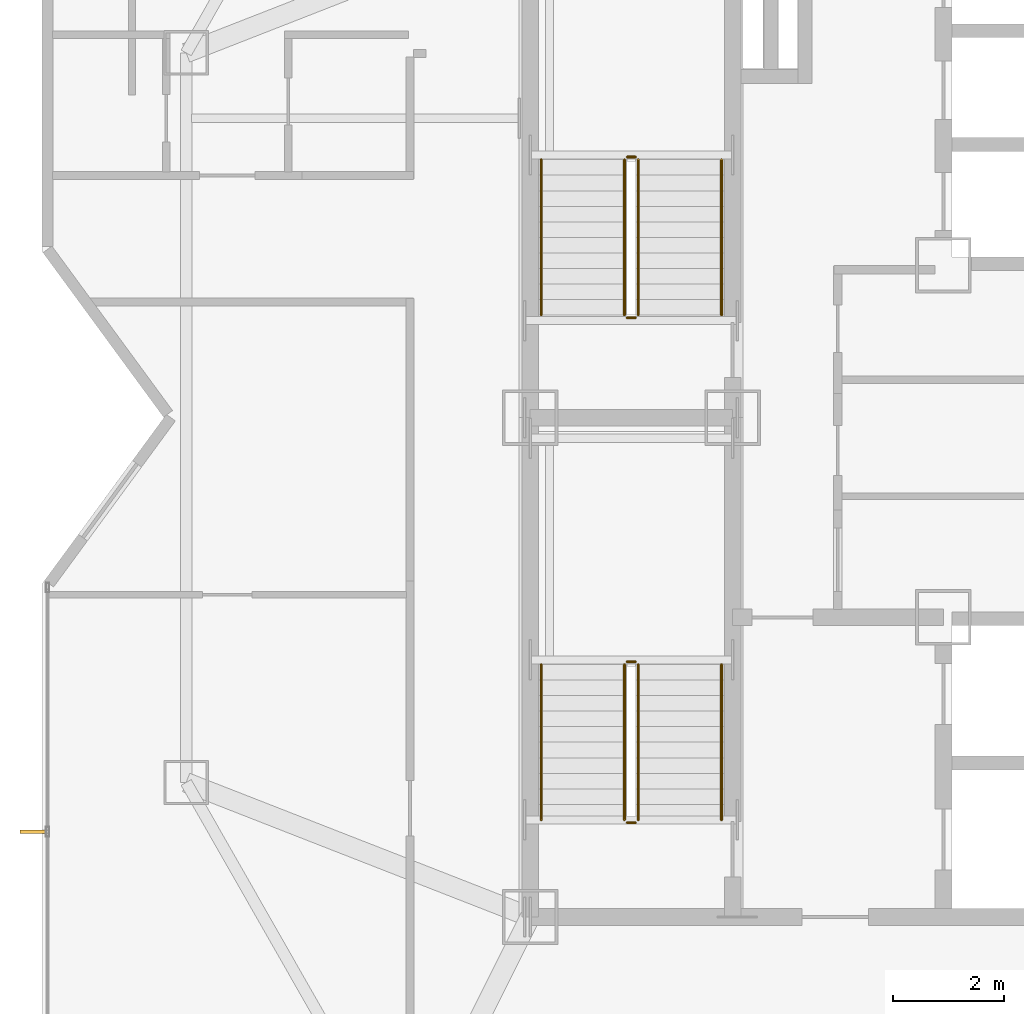
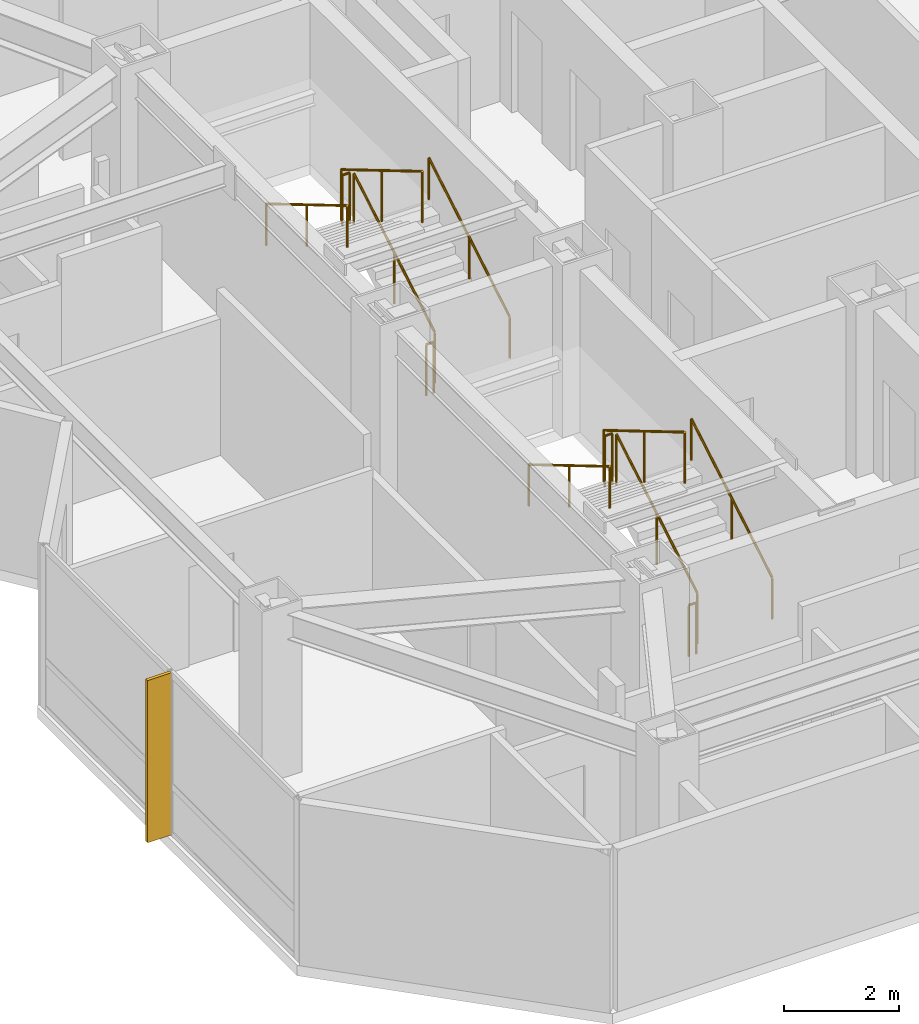
# One storey, part 14 of 14: 12 railings, 1 shading device.
"""IFC4 building model written with IfcOpenShell, lengths in metres."""

import ifcopenshell
import ifcopenshell.guid

model = None  # the IFC model being written
_history = None  # IfcOwnerHistory: only IFC2X3 demands one
_inside = {}  # id of a spatial element -> (the spatial element, [elements in it])
_under = {}  # id of a project, library or spatial element -> (it, [spatial elements below it])
_declared = {}  # id of a project -> (the project, [libraries it declares])
_typed = {}  # id of a type object -> (the type object, [elements of that type])
_made_of = {}  # id of a material, layer set ... -> (it, [elements and type objects made of it])


def new_model(schema):
    """Start an empty IFC model of exactly this schema.

    Asked for "IFC4X3", IfcOpenShell would pick the latest addendum, in which some entities
    have other attributes; the version numbers below select the first issue.
    IFC2X3 requires an IfcOwnerHistory on every rooted entity: one is made here for all.
    """
    global model, _history
    if schema == "IFC4X3":
        model = ifcopenshell.file(schema_version=(4, 3, 0, 0))
    else:
        model = ifcopenshell.file(schema=schema)
    _inside.clear()
    _under.clear()
    _declared.clear()
    _typed.clear()
    _made_of.clear()
    _history = None
    if model.schema == "IFC2X3":
        org = make("IfcOrganization", Name="unknown")
        user = make(
            "IfcPersonAndOrganization",
            ThePerson=make("IfcPerson", FamilyName="unknown"),
            TheOrganization=org,
        )
        app = make(
            "IfcApplication",
            ApplicationDeveloper=org,
            Version="unknown",
            ApplicationFullName="unknown",
            ApplicationIdentifier="unknown",
        )
        _history = make(
            "IfcOwnerHistory",
            OwningUser=user,
            OwningApplication=app,
            ChangeAction="ADDED",
            CreationDate=0,
        )
    return model


def make(cls, **values):
    """One entity of the class cls with the attributes given. An attribute that is None is left unset."""
    return model.create_entity(
        cls, **{name: value for name, value in values.items() if value is not None}
    )


def rooted(cls, **values):
    """An entity with a GlobalId (a new one), such as an element, a storey or a relation."""
    return make(cls, GlobalId=ifcopenshell.guid.new(), OwnerHistory=_history, **values)


def si_unit(unit_type, name, prefix=None):
    """IfcSIUnit, for example si_unit("LENGTHUNIT", "METRE", prefix="MILLI")."""
    return make("IfcSIUnit", UnitType=unit_type, Prefix=prefix, Name=name)


def assignment(units):
    """IfcUnitAssignment: the units of a project."""
    return None if units is None else make("IfcUnitAssignment", Units=units)


def point(xyz):
    """IfcCartesianPoint."""
    return None if xyz is None else make("IfcCartesianPoint", Coordinates=xyz)


def direction(xyz):
    """IfcDirection."""
    return None if xyz is None else make("IfcDirection", DirectionRatios=xyz)


def frame(location, z_axis=None, x_axis=None):
    """IfcAxis2Placement3D, a coordinate frame: its origin and axes. An axis left out is left unset."""
    return make(
        "IfcAxis2Placement3D",
        Location=point(location),
        Axis=direction(z_axis),
        RefDirection=direction(x_axis),
    )


def frame_2d(location, x_axis=None):
    """IfcAxis2Placement2D, a coordinate frame in the plane: its origin and x axis."""
    return make(
        "IfcAxis2Placement2D", Location=point(location), RefDirection=direction(x_axis)
    )


def origin():
    """The frame at (0, 0, 0) with its axes left unset."""
    return frame((0.0, 0.0, 0.0))


def origin_2d():
    """The frame at (0, 0) in the plane with its x axis left unset."""
    return frame_2d((0.0, 0.0))


def place(relative_to, where):
    """IfcLocalPlacement: puts the frame where relative to a parent placement (None: the world)."""
    return make(
        "IfcLocalPlacement", PlacementRelTo=relative_to, RelativePlacement=where
    )


def context(
    kind, dimensions, precision=None, world=None, true_north=None, identifier=None
):
    """IfcGeometricRepresentationContext, for example the 3D "Model" context."""
    return make(
        "IfcGeometricRepresentationContext",
        ContextIdentifier=identifier,
        ContextType=kind,
        CoordinateSpaceDimension=dimensions,
        Precision=precision,
        WorldCoordinateSystem=world,
        TrueNorth=true_north,
    )


def subcontext(parent, identifier, kind, view, scale=None):
    """IfcGeometricRepresentationSubContext, for example "Body" below "Model"."""
    return make(
        "IfcGeometricRepresentationSubContext",
        ContextIdentifier=identifier,
        ContextType=kind,
        ParentContext=parent,
        TargetScale=scale,
        TargetView=view,
    )


def project(units=None, contexts=None):
    """IfcProject with its units and contexts."""
    return rooted(
        "IfcProject",
        Name="project",
        RepresentationContexts=contexts,
        UnitsInContext=assignment(units),
    )


def spatial(cls, under=None, at=None, **own):
    """A site, building, storey or space (cls), placed at a placement, below another one or the project."""
    s = rooted(cls, ObjectPlacement=at, **own)
    if under is not None:
        _under.setdefault(under.id(), (under, []))[1].append(s)
    return s


def profile(cls, at=None, kind="AREA", **sizes):
    """A parametric profile (cls). Its sizes go by their IFC names, for example OverallWidth=200.0."""
    return make(cls, ProfileType=kind, Position=at, **sizes)


def rectangle(**sizes):
    """IfcRectangleProfileDef."""
    return profile("IfcRectangleProfileDef", **sizes)


def circle(**sizes):
    """IfcCircleProfileDef."""
    return profile("IfcCircleProfileDef", **sizes)


def extrude(swept, where, along, depth):
    """IfcExtrudedAreaSolid: the profile swept, set in the frame where, extruded along a direction by depth."""
    return make(
        "IfcExtrudedAreaSolid",
        SweptArea=swept,
        Position=where,
        ExtrudedDirection=direction(along),
        Depth=depth,
    )


def shape(context_of_items, identifier, shape_type, items):
    """IfcShapeRepresentation: the items that make up one representation, for example the "Body"."""
    return make(
        "IfcShapeRepresentation",
        ContextOfItems=context_of_items,
        RepresentationIdentifier=identifier,
        RepresentationType=shape_type,
        Items=items,
    )


def material(Name=None, Category=None):
    """IfcMaterial."""
    return make("IfcMaterial", Name=Name, Category=Category)


def made_of(thing, what):
    """Note that an element or type object is made of a material, layer set ...; save() writes the relation."""
    if what is not None:
        _made_of.setdefault(what.id(), (what, []))[1].append(thing)
    return thing


def type_object(cls, material=None, **own):
    """A type object (cls), such as IfcWallType, which elements share."""
    return made_of(rooted(cls, **own), material)


def element(
    cls,
    number,
    at=None,
    inside=None,
    cuts=None,
    type_object=None,
    material=None,
    context=None,
    identifier="Body",
    shape_type=None,
    held_by="IfcProductDefinitionShape",
    body=None,
    shapes=None,
    **own,
):
    """One element of the class cls, such as IfcWall. Its Tag is "e" and its number.

    at: its placement. inside: the storey or other place that contains it. cuts: it is an
    opening in that element (IfcRelVoidsElement). A single representation is given by context,
    identifier, shape_type and body (its items); several are given by shapes. held_by: the class
    of the entity that holds the representations. save() writes the other relations.
    """
    e = rooted(cls, Tag="e%d" % number, ObjectPlacement=at, **own)
    if body is not None:
        shapes = [shape(context, identifier, shape_type, body)]
    if shapes is not None:
        e.Representation = make(held_by, Representations=shapes)
    if inside is not None:
        _inside.setdefault(inside.id(), (inside, []))[1].append(e)
    if cuts is not None:
        rooted(
            "IfcRelVoidsElement", RelatingBuildingElement=cuts, RelatedOpeningElement=e
        )
    if type_object is not None:
        _typed.setdefault(type_object.id(), (type_object, []))[1].append(e)
    return made_of(e, material)


def aggregate(whole, parts):
    """IfcRelAggregates: a whole, such as a stair, and the parts it consists of."""
    return rooted("IfcRelAggregates", RelatingObject=whole, RelatedObjects=parts)


def save(model, path):
    """Write the relations noted so far, then the file.

    IfcRelAggregates (storeys below a building ...), IfcRelContainedInSpatialStructure (elements
    in a storey), IfcRelDefinesByType, IfcRelAssociatesMaterial and IfcRelDeclares: one each for
    every whole, place, type object, material and project.
    """
    for whole, parts in _under.values():
        aggregate(whole, parts)
    for where, things in _inside.values():
        rooted(
            "IfcRelContainedInSpatialStructure",
            RelatedElements=things,
            RelatingStructure=where,
        )
    for kind, things in _typed.values():
        rooted("IfcRelDefinesByType", RelatedObjects=things, RelatingType=kind)
    for what, things in _made_of.values():
        rooted("IfcRelAssociatesMaterial", RelatedObjects=things, RelatingMaterial=what)
    for by, libraries in _declared.values():
        rooted("IfcRelDeclares", RelatingContext=by, RelatedDefinitions=libraries)
    model.write(path)


model = new_model("IFC4")

# Units and contexts
model_context = context("Model", 3, precision=1e-05, world=origin(), true_north=direction((0.0, 1.0)))
body_context = subcontext(model_context, "Body", "Model", "MODEL_VIEW")
ifc_project = project(units=[si_unit("LENGTHUNIT", "METRE"), si_unit("AREAUNIT", "SQUARE_METRE"), si_unit("VOLUMEUNIT", "CUBIC_METRE"), si_unit("PLANEANGLEUNIT", "RADIAN"), si_unit("MASSUNIT", "GRAM", prefix="KILO")], contexts=[model_context])

# Site, building, storey
site_placement = place(None, origin())
site = spatial("IfcSite", under=ifc_project, at=site_placement, CompositionType="ELEMENT")
building_placement = place(site_placement, origin())
building = spatial("IfcBuilding", under=site, at=building_placement, Name="Khamvora Tower", CompositionType="ELEMENT")
storey_placement = place(building_placement, frame((0.0, 0.0, 231.800048828125)))
storey = spatial("IfcBuildingStorey", under=building, at=storey_placement, Name="L59", CompositionType="ELEMENT", Elevation=231.800048828125)

# Railings
ifc_material_1 = material(Name="Brushed Stainless Steel 316", Category="steel")
railing_type_1 = type_object("IfcRailingType", Name="RAL-HDR-920", PredefinedType="HANDRAIL", material=ifc_material_1)
railing_1_placement = place(storey_placement, frame((32.449951171875, 20.75, 0.165771484375)))
element("IfcRailing", 1, at=railing_1_placement, inside=storey, type_object=railing_type_1, Name="L59 ST-01 stair handrail 1", PredefinedType="HANDRAIL", context=body_context, shape_type="SweptSolid", body=[
    extrude(circle(Radius=0.02392578125, at=origin_2d()), frame((0.0, 0.0, 0.8759765625), z_axis=(0.0, 0.860306154799, 0.50977771628), x_axis=(-1.0, 0.0, 0.0)), (0.0, 0.0, 1.0), 3.254638671875),
    extrude(circle(Radius=0.02099609375, at=origin_2d()), origin(), (0.0, 0.0, 1.0), 0.851806640625),
    extrude(circle(Radius=0.02099609375, at=origin_2d()), frame((0.0, 1.39990234375, 0.82958984375)), (0.0, 0.0, 1.0), 0.851806640625),
    extrude(circle(Radius=0.02099609375, at=origin_2d()), frame((0.0, 2.800048828125, 1.6591796875)), (0.0, 0.0, 1.0), 0.851806640625),
])
railing_2_placement = place(storey_placement, frame((29.199951171875, 23.550048828125, 1.990966796875)))
element("IfcRailing", 2, at=railing_2_placement, inside=storey, type_object=railing_type_1, Name="L59 ST-01 stair handrail 2", PredefinedType="HANDRAIL", context=body_context, shape_type="SweptSolid", body=[
    extrude(circle(Radius=0.02392578125, at=origin_2d()), frame((0.0, 0.0, 0.8759765625), z_axis=(0.0, -0.860339051648, 0.50972219513), x_axis=(1.0, 0.0, 0.0)), (0.0, 0.0, 1.0), 3.254638671875),
    extrude(circle(Radius=0.02099609375, at=origin_2d()), origin(), (0.0, 0.0, 1.0), 0.851806640625),
    extrude(circle(Radius=0.02099609375, at=origin_2d()), frame((0.0, -1.39990234375, 0.82958984375)), (0.0, 0.0, 1.0), 0.851806640625),
    extrude(circle(Radius=0.02099609375, at=origin_2d()), frame((0.0, -2.800048828125, 1.658935546875)), (0.0, 0.0, 1.0), 0.851806640625),
])
railing_3_placement = place(storey_placement, frame((32.449951171875, 29.85009765625, 0.165771484375)))
element("IfcRailing", 3, at=railing_3_placement, inside=storey, type_object=railing_type_1, Name="L59 ST-02 stair handrail 1", PredefinedType="HANDRAIL", context=body_context, shape_type="SweptSolid", body=[
    extrude(circle(Radius=0.02392578125, at=origin_2d()), frame((0.0, 0.0, 0.8759765625), z_axis=(0.0, 0.860286659441, 0.509810615413), x_axis=(-1.0, 0.0, 0.0)), (0.0, 0.0, 1.0), 3.25439453125),
    extrude(circle(Radius=0.02099609375, at=origin_2d()), origin(), (0.0, 0.0, 1.0), 0.851806640625),
    extrude(circle(Radius=0.02099609375, at=origin_2d()), frame((0.0, 1.39990234375, 0.82958984375)), (0.0, 0.0, 1.0), 0.851806640625),
    extrude(circle(Radius=0.02099609375, at=origin_2d()), frame((0.0, 2.7998046875, 1.6591796875)), (0.0, 0.0, 1.0), 0.851806640625),
])
railing_4_placement = place(storey_placement, frame((29.199951171875, 32.64990234375, 1.990966796875)))
element("IfcRailing", 4, at=railing_4_placement, inside=storey, type_object=railing_type_1, Name="L59 ST-02 stair handrail 2", PredefinedType="HANDRAIL", context=body_context, shape_type="SweptSolid", body=[
    extrude(circle(Radius=0.02392578125, at=origin_2d()), frame((0.0, 0.0, 0.8759765625), z_axis=(0.0, -0.860319559791, 0.509755093197), x_axis=(1.0, 0.0, 0.0)), (0.0, 0.0, 1.0), 3.25439453125),
    extrude(circle(Radius=0.02099609375, at=origin_2d()), origin(), (0.0, 0.0, 1.0), 0.851806640625),
    extrude(circle(Radius=0.02099609375, at=origin_2d()), frame((0.0, -1.39990234375, 0.82958984375)), (0.0, 0.0, 1.0), 0.851806640625),
    extrude(circle(Radius=0.02099609375, at=origin_2d()), frame((0.0, -2.7998046875, 1.658935546875)), (0.0, 0.0, 1.0), 0.851806640625),
])
ifc_material_2 = material(Name="Stainless Steel 316", Category="steel")
railing_type_2 = type_object("IfcRailingType", Name="RAL-STG-1100", PredefinedType="GUARDRAIL", material=ifc_material_2)
railing_5_placement = place(storey_placement, frame((30.949951171875, 20.75, 0.165771484375)))
element("IfcRailing", 5, at=railing_5_placement, inside=storey, type_object=railing_type_2, Name="L59 ST-01 stair guard 1", PredefinedType="GUARDRAIL", context=body_context, shape_type="SweptSolid", body=[
    extrude(circle(Radius=0.02392578125, at=origin_2d()), frame((0.0, 0.0, 1.076171875), z_axis=(0.0, 0.860306154799, 0.50977771628), x_axis=(-1.0, 0.0, 0.0)), (0.0, 0.0, 1.0), 3.254638671875),
    extrude(circle(Radius=0.02099609375, at=origin_2d()), origin(), (0.0, 0.0, 1.0), 1.052001953125),
    extrude(circle(Radius=0.02099609375, at=origin_2d()), frame((0.0, 1.39990234375, 0.82958984375)), (0.0, 0.0, 1.0), 1.052001953125),
    extrude(circle(Radius=0.02099609375, at=origin_2d()), frame((0.0, 2.800048828125, 1.6591796875)), (0.0, 0.0, 1.0), 1.052001953125),
])
railing_6_placement = place(storey_placement, frame((30.89990234375, 23.60009765625, 1.824951171875)))
element("IfcRailing", 6, at=railing_6_placement, inside=storey, type_object=railing_type_2, Name="L59 ST-01 stair guard 2", PredefinedType="GUARDRAIL", context=body_context, shape_type="SweptSolid", body=[
    extrude(circle(Radius=0.02392578125, at=origin_2d()), frame((0.0, 0.0, 1.076171875), z_axis=(-1.0, 0.0, 0.0), x_axis=(0.0, -1.0, 0.0)), (0.0, 0.0, 1.0), 0.14990234375),
    extrude(circle(Radius=0.02099609375, at=origin_2d()), origin(), (0.0, 0.0, 1.0), 1.052001953125),
    extrude(circle(Radius=0.02099609375, at=origin_2d()), frame((-0.14990234375, 0.0, 0.0)), (0.0, 0.0, 1.0), 1.052001953125),
])
railing_7_placement = place(storey_placement, frame((30.699951171875, 23.550048828125, 1.990966796875)))
element("IfcRailing", 7, at=railing_7_placement, inside=storey, type_object=railing_type_2, Name="L59 ST-01 stair guard 3", PredefinedType="GUARDRAIL", context=body_context, shape_type="SweptSolid", body=[
    extrude(circle(Radius=0.02392578125, at=origin_2d()), frame((0.0, 0.0, 1.076171875), z_axis=(0.0, -0.860339051648, 0.50972219513), x_axis=(1.0, 0.0, 0.0)), (0.0, 0.0, 1.0), 3.254638671875),
    extrude(circle(Radius=0.02099609375, at=origin_2d()), origin(), (0.0, 0.0, 1.0), 1.052001953125),
    extrude(circle(Radius=0.02099609375, at=origin_2d()), frame((0.0, -1.39990234375, 0.82958984375)), (0.0, 0.0, 1.0), 1.052001953125),
    extrude(circle(Radius=0.02099609375, at=origin_2d()), frame((0.0, -2.800048828125, 1.658935546875)), (0.0, 0.0, 1.0), 1.052001953125),
])
railing_8_placement = place(storey_placement, frame((30.89990234375, 20.699951171875, 0.0)))
element("IfcRailing", 8, at=railing_8_placement, inside=storey, type_object=railing_type_2, Name="L59 ST-01 stair guard 4", PredefinedType="GUARDRAIL", context=body_context, shape_type="SweptSolid", body=[
    extrude(circle(Radius=0.02392578125, at=origin_2d()), frame((0.0, 0.0, 1.076171875), z_axis=(-1.0, 0.0, 0.0), x_axis=(0.0, -1.0, 0.0)), (0.0, 0.0, 1.0), 0.14990234375),
    extrude(circle(Radius=0.02099609375, at=origin_2d()), origin(), (0.0, 0.0, 1.0), 1.052001953125),
    extrude(circle(Radius=0.02099609375, at=origin_2d()), frame((-0.14990234375, 0.0, 0.0)), (0.0, 0.0, 1.0), 1.052001953125),
])
railing_9_placement = place(storey_placement, frame((30.949951171875, 29.85009765625, 0.165771484375)))
element("IfcRailing", 9, at=railing_9_placement, inside=storey, type_object=railing_type_2, Name="L59 ST-02 stair guard 1", PredefinedType="GUARDRAIL", context=body_context, shape_type="SweptSolid", body=[
    extrude(circle(Radius=0.02392578125, at=origin_2d()), frame((0.0, 0.0, 1.076171875), z_axis=(0.0, 0.860286659441, 0.509810615413), x_axis=(-1.0, 0.0, 0.0)), (0.0, 0.0, 1.0), 3.25439453125),
    extrude(circle(Radius=0.02099609375, at=origin_2d()), origin(), (0.0, 0.0, 1.0), 1.052001953125),
    extrude(circle(Radius=0.02099609375, at=origin_2d()), frame((0.0, 1.39990234375, 0.82958984375)), (0.0, 0.0, 1.0), 1.052001953125),
    extrude(circle(Radius=0.02099609375, at=origin_2d()), frame((0.0, 2.7998046875, 1.6591796875)), (0.0, 0.0, 1.0), 1.052001953125),
])
railing_10_placement = place(storey_placement, frame((30.89990234375, 32.699951171875, 1.824951171875)))
element("IfcRailing", 10, at=railing_10_placement, inside=storey, type_object=railing_type_2, Name="L59 ST-02 stair guard 2", PredefinedType="GUARDRAIL", context=body_context, shape_type="SweptSolid", body=[
    extrude(circle(Radius=0.02392578125, at=origin_2d()), frame((0.0, 0.0, 1.076171875), z_axis=(-1.0, 0.0, 0.0), x_axis=(0.0, -1.0, 0.0)), (0.0, 0.0, 1.0), 0.14990234375),
    extrude(circle(Radius=0.02099609375, at=origin_2d()), origin(), (0.0, 0.0, 1.0), 1.052001953125),
    extrude(circle(Radius=0.02099609375, at=origin_2d()), frame((-0.14990234375, 0.0, 0.0)), (0.0, 0.0, 1.0), 1.052001953125),
])
railing_11_placement = place(storey_placement, frame((30.699951171875, 32.64990234375, 1.990966796875)))
element("IfcRailing", 11, at=railing_11_placement, inside=storey, type_object=railing_type_2, Name="L59 ST-02 stair guard 3", PredefinedType="GUARDRAIL", context=body_context, shape_type="SweptSolid", body=[
    extrude(circle(Radius=0.02392578125, at=origin_2d()), frame((0.0, 0.0, 1.076171875), z_axis=(0.0, -0.860319559791, 0.509755093197), x_axis=(1.0, 0.0, 0.0)), (0.0, 0.0, 1.0), 3.25439453125),
    extrude(circle(Radius=0.02099609375, at=origin_2d()), origin(), (0.0, 0.0, 1.0), 1.052001953125),
    extrude(circle(Radius=0.02099609375, at=origin_2d()), frame((0.0, -1.39990234375, 0.82958984375)), (0.0, 0.0, 1.0), 1.052001953125),
    extrude(circle(Radius=0.02099609375, at=origin_2d()), frame((0.0, -2.7998046875, 1.658935546875)), (0.0, 0.0, 1.0), 1.052001953125),
])
railing_12_placement = place(storey_placement, frame((30.89990234375, 29.800048828125, 0.0)))
element("IfcRailing", 12, at=railing_12_placement, inside=storey, type_object=railing_type_2, Name="L59 ST-02 stair guard 4", PredefinedType="GUARDRAIL", context=body_context, shape_type="SweptSolid", body=[
    extrude(circle(Radius=0.02392578125, at=origin_2d()), frame((0.0, 0.0, 1.076171875), z_axis=(-1.0, 0.0, 0.0), x_axis=(0.0, -1.0, 0.0)), (0.0, 0.0, 1.0), 0.14990234375),
    extrude(circle(Radius=0.02099609375, at=origin_2d()), origin(), (0.0, 0.0, 1.0), 1.052001953125),
    extrude(circle(Radius=0.02099609375, at=origin_2d()), frame((-0.14990234375, 0.0, 0.0)), (0.0, 0.0, 1.0), 1.052001953125),
])

# Shading device
ifc_material_3 = material(Name="Anodised Bronze Aluminium 6063-T6", Category="aluminium")
shading_device_type = type_object("IfcShadingDeviceType", Name="SHD-FIN-480", PredefinedType="USERDEFINED", material=ifc_material_3)
shading_device_placement = place(storey_placement, frame((20.044921875, 20.534912109375, 0.0), z_axis=(0.0, 0.0, 1.0), x_axis=(0.0, 1.0, 0.0)))
element("IfcShadingDevice", 13, at=shading_device_placement, inside=storey, type_object=shading_device_type, Name="L59 anodised bronze solar fin 02.01", ObjectType="FIN", PredefinedType="USERDEFINED", context=body_context, shape_type="SweptSolid", body=[
    extrude(rectangle(XDim=0.06494140625, YDim=0.47998046875, at=origin_2d()), origin(), (0.0, 0.0, 1.0), 3.429931640625),
])

save(model, "model.ifc")
